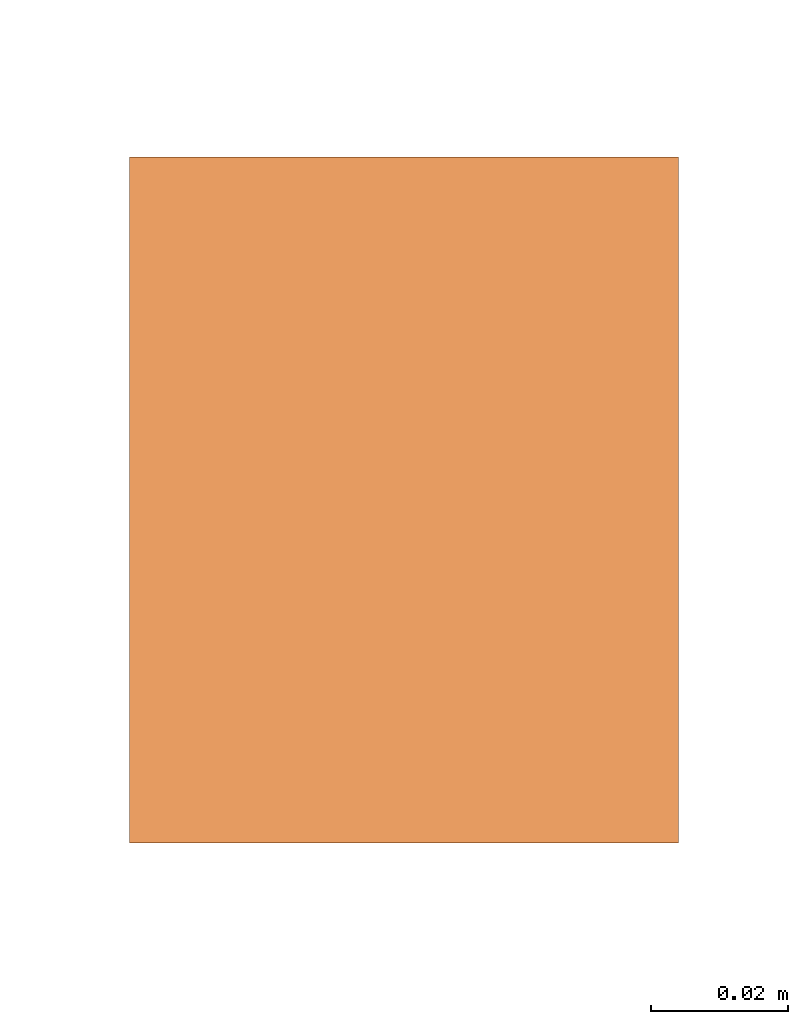
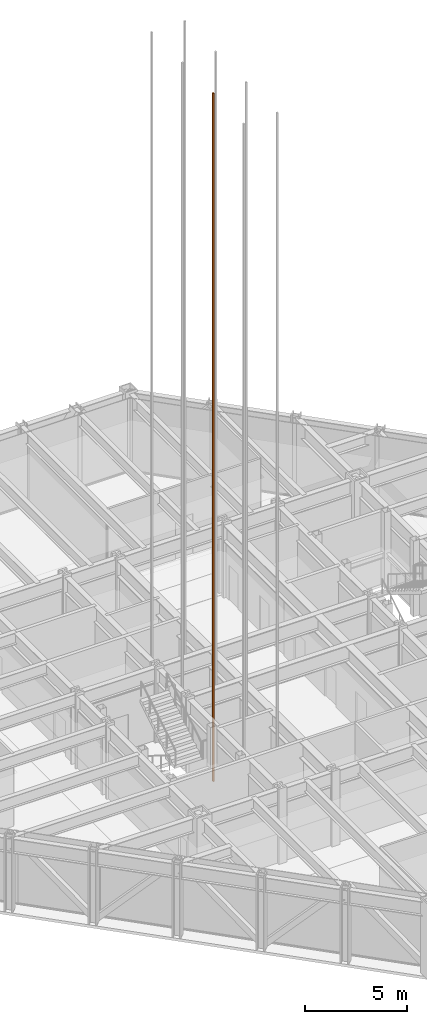
# One storey, part 19 of 24: 1 proxy.
"""IFC4 building model written with IfcOpenShell, lengths in metres."""

from ifc_helpers import new_model, si_unit, direction, frame, origin, origin_2d, place, context, subcontext, project, spatial, rectangle, extrude, material, type_object, element, save


model = new_model("IFC4")

# Units and contexts
model_context = context("Model", 3, precision=1e-05, world=origin(), true_north=direction((0.0, 1.0)))
body_context = subcontext(model_context, "Body", "Model", "MODEL_VIEW")
ifc_project = project(units=[si_unit("LENGTHUNIT", "METRE"), si_unit("AREAUNIT", "SQUARE_METRE"), si_unit("VOLUMEUNIT", "CUBIC_METRE"), si_unit("PLANEANGLEUNIT", "RADIAN"), si_unit("MASSUNIT", "GRAM", prefix="KILO")], contexts=[model_context])

# Site, building, storey
site_placement = place(None, origin())
site = spatial("IfcSite", under=ifc_project, at=site_placement, CompositionType="ELEMENT")
building_placement = place(site_placement, origin())
building = spatial("IfcBuilding", under=site, at=building_placement, Name="Chuquiago Exchange Tower", CompositionType="ELEMENT")
storey_placement = place(building_placement, frame((0.0, 0.0, 257.699951171875)))
storey = spatial("IfcBuildingStorey", under=building, at=storey_placement, Name="L57", CompositionType="ELEMENT", Elevation=257.699951171875)

# Proxy
ifc_material = material(Name="Galvanised steel guide rail", Category="steel")
building_element_proxy_type = type_object("IfcBuildingElementProxyType", Name="LR lift guide rail", PredefinedType="NOTDEFINED", material=ifc_material)
proxy_placement = place(storey_placement, frame((17.06494140625, 19.5, 0.0), z_axis=(0.0, 0.0, 1.0), x_axis=(1.0, 0.0, 0.0)))
element("IfcBuildingElementProxy", 1, at=proxy_placement, inside=storey, type_object=building_element_proxy_type, Name="Lift LD2 guide rail W", PredefinedType="NOTDEFINED", context=body_context, shape_type="SweptSolid", body=[
    extrude(rectangle(XDim=0.080078125, YDim=0.10009765625, at=origin_2d()), origin(), (0.0, 0.0, 1.0), 41.0),
])

save(model, "model.ifc")
